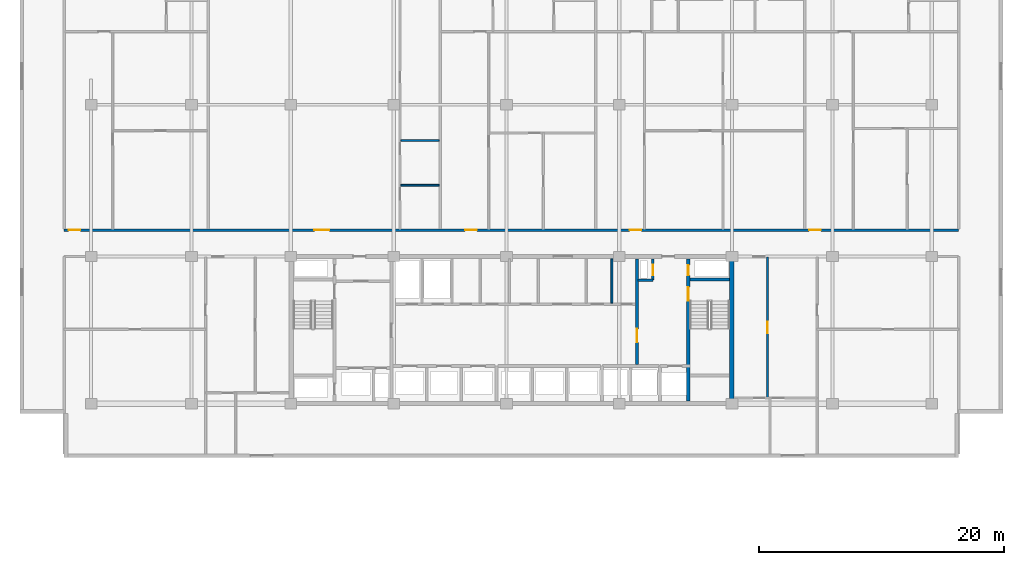
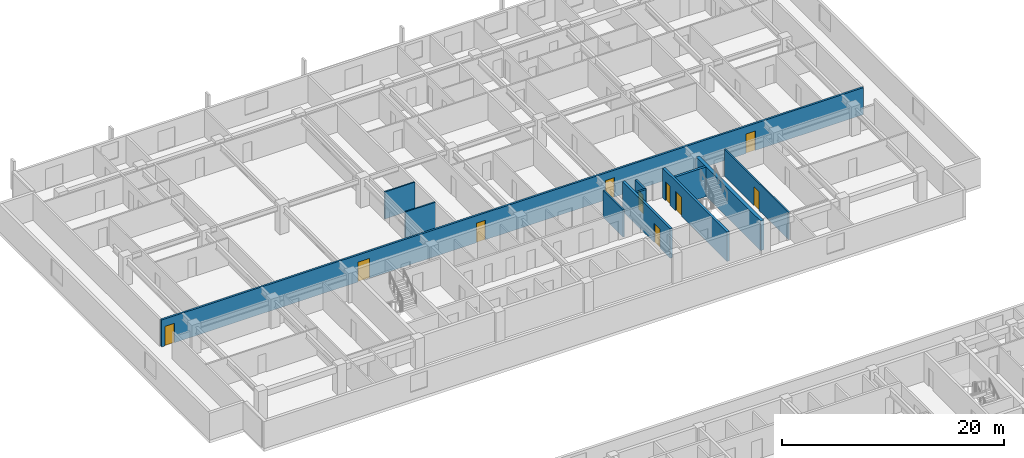
# One storey, part 13 of 22: 11 walls, 10 doors, 10 openings.
"""IFC4 building model written with IfcOpenShell, lengths in metres."""

from ifc_helpers import new_model, si_unit, direction, frame, frame_2d, origin, place, context, subcontext, project, spatial, rectangle, extrude, material, layer, layer_set, type_object, element, fill, save


model = new_model("IFC4")

# Units and contexts
model_context = context("Model", 3, precision=1e-05, world=origin(), true_north=direction((0.0, 1.0)))
body_context = subcontext(model_context, "Body", "Model", "MODEL_VIEW")
ifc_project = project(units=[si_unit("LENGTHUNIT", "METRE"), si_unit("AREAUNIT", "SQUARE_METRE"), si_unit("VOLUMEUNIT", "CUBIC_METRE"), si_unit("PLANEANGLEUNIT", "RADIAN"), si_unit("MASSUNIT", "GRAM", prefix="KILO")], contexts=[model_context])

# Site, building, storey
site_placement = place(None, origin())
site = spatial("IfcSite", under=ifc_project, at=site_placement, CompositionType="ELEMENT")
building_placement = place(site_placement, origin())
building = spatial("IfcBuilding", under=site, at=building_placement, Name="Korimba Cascade Residences", CompositionType="ELEMENT")
storey_placement = place(building_placement, frame((0.0, 0.0, 80.800048828125)))
storey = spatial("IfcBuildingStorey", under=building, at=storey_placement, Name="L22", CompositionType="ELEMENT", Elevation=80.800048828125)

# Wall
ifc_material_1 = material(Name="Concrete C65/80", Category="concrete")
ifc_layer_1 = layer(ifc_material_1, 0.35009765625)
ifc_layer_set_1 = layer_set([ifc_layer_1], Name="Concrete C65/80")
wall_type_1 = type_object("IfcWallType", Name="WAL-CORE-350", PredefinedType="SHEAR", material=ifc_layer_set_1)
wall_1_placement = place(storey_placement, frame((112.074951171875, 55.375, 0.0), z_axis=(0.0, 0.0, 1.0), x_axis=(0.0, 1.0, 0.0)))
element("IfcWall", 1, at=wall_1_placement, inside=storey, type_object=wall_type_1, Name="L22 Core Shear Wall CW-L22-T1-E", PredefinedType="SHEAR", context=body_context, shape_type="SweptSolid", body=[
    extrude(rectangle(XDim=11.64990234375, YDim=0.35009765625, at=frame_2d((5.824951171875, 0.0))), origin(), (0.0, 0.0, 1.0), 3.25),
])

# Wall, openings, doors
ifc_material_2 = material(Name="Precast concrete C40/50", Category="concrete")
ifc_layer_2 = layer(ifc_material_2, 0.199951171875)
ifc_layer_set_2 = layer_set([ifc_layer_2], Name="Precast concrete C40/50")
wall_type_2 = type_object("IfcWallType", Name="WAL-IT-200", PredefinedType="PARTITIONING", material=ifc_layer_set_2)
wall_2_placement = place(storey_placement, frame((57.60009765625, 69.35009765625, 0.0), z_axis=(0.0, 0.0, 1.0), x_axis=(1.0, 0.0, 0.0)))
wall_2 = element("IfcWall", 2, at=wall_2_placement, inside=storey, type_object=wall_type_2, Name="L22 Partition Wall WAL-L22-T1-CORN", PredefinedType="PARTITIONING", context=body_context, shape_type="SweptSolid", body=[
    extrude(rectangle(XDim=73.0, YDim=0.199951171875, at=frame_2d((36.5, 0.0))), origin(), (0.0, 0.0, 1.0), 2.969970703125),
])
opening_1_placement = place(wall_2_placement, frame((0.3701171875, 0.0, 0.0)))
opening_1 = element("IfcOpeningElement", 3, at=opening_1_placement, cuts=wall_2, Name="Opening D-UN1", PredefinedType="OPENING", context=body_context, shape_type="SweptSolid", body=[
    extrude(rectangle(XDim=0.949951171875, YDim=2.14990234375, at=frame_2d((0.47509765625, 1.074951171875))), frame((0.0, 0.10986328125, 0.0), z_axis=(0.0, -1.0, 0.0), x_axis=(1.0, 0.0, 0.0)), (0.0, 0.0, 1.0), 0.219970703125),
])
opening_2_placement = place(wall_2_placement, frame((20.42138671875, 0.0, 0.0)))
opening_2 = element("IfcOpeningElement", 4, at=opening_2_placement, cuts=wall_2, Name="Opening D-AM1", PredefinedType="OPENING", context=body_context, shape_type="SweptSolid", body=[
    extrude(rectangle(XDim=1.219970703125, YDim=2.179931640625, at=frame_2d((0.60986328125, 1.08984375))), frame((0.0, 0.10986328125, 0.0), z_axis=(0.0, -1.0, 0.0), x_axis=(1.0, 0.0, 0.0)), (0.0, 0.0, 1.0), 0.219970703125),
])
opening_3_placement = place(wall_2_placement, frame((32.7294921875, 0.0, 0.0)))
opening_3 = element("IfcOpeningElement", 5, at=opening_3_placement, cuts=wall_2, Name="Opening D-UN1", PredefinedType="OPENING", context=body_context, shape_type="SweptSolid", body=[
    extrude(rectangle(XDim=0.949951171875, YDim=2.14990234375, at=frame_2d((0.47509765625, 1.074951171875))), frame((0.0, 0.10986328125, 0.0), z_axis=(0.0, -1.0, 0.0), x_axis=(1.0, 0.0, 0.0)), (0.0, 0.0, 1.0), 0.219970703125),
])
opening_4_placement = place(wall_2_placement, frame((46.1572265625, 0.0, 0.0)))
opening_4 = element("IfcOpeningElement", 6, at=opening_4_placement, cuts=wall_2, Name="Opening D-UN1", PredefinedType="OPENING", context=body_context, shape_type="SweptSolid", body=[
    extrude(rectangle(XDim=0.949951171875, YDim=2.14990234375, at=frame_2d((0.47509765625, 1.074951171875))), frame((0.0, 0.10986328125, 0.0), z_axis=(0.0, -1.0, 0.0), x_axis=(1.0, 0.0, 0.0)), (0.0, 0.0, 1.0), 0.219970703125),
])
opening_5_placement = place(wall_2_placement, frame((60.803466796875, 0.0, 0.0)))
opening_5 = element("IfcOpeningElement", 7, at=opening_5_placement, cuts=wall_2, Name="Opening D-UN1", PredefinedType="OPENING", context=body_context, shape_type="SweptSolid", body=[
    extrude(rectangle(XDim=0.949951171875, YDim=2.14990234375, at=frame_2d((0.47509765625, 1.074951171875))), frame((0.0, 0.10986328125, 0.0), z_axis=(0.0, -1.0, 0.0), x_axis=(1.0, 0.0, 0.0)), (0.0, 0.0, 1.0), 0.219970703125),
])
ifc_material_3 = material(Name="Fire-Rated Glazed Timber Suite Door", Category="wood")
door_type_1 = type_object("IfcDoorType", Name="DR-FD60-1200", OperationType="NOTDEFINED", PredefinedType="DOOR", material=ifc_material_3)
door_1_placement = place(opening_2_placement, origin())
door_1 = element("IfcDoor", 8, at=door_1_placement, inside=storey, type_object=door_type_1, Name="L22-T1-U02 Promenade Design Showroom Door", OperationType="SINGLE_SWING_RIGHT", OverallHeight=2.179931640625, OverallWidth=1.219970703125, PredefinedType="DOOR", context=body_context, shape_type="SweptSolid", body=[
    extrude(rectangle(XDim=1.219970703125, YDim=2.179931640625, at=frame_2d((0.60986328125, 1.08984375))), frame((0.0, 0.02490234375, 0.0), z_axis=(0.0, -1.0, 0.0), x_axis=(1.0, 0.0, 0.0)), (0.0, 0.0, 1.0), 0.050048828125),
])
fill(opening_2, door_1)
ifc_material_4 = material(Name="Fire-Rated Hardwood Apartment Entrance Door", Category="wood")
door_type_2 = type_object("IfcDoorType", Name="DR-FD60-950", OperationType="NOTDEFINED", PredefinedType="DOOR", material=ifc_material_4)
door_2_placement = place(opening_1_placement, origin())
door_2 = element("IfcDoor", 9, at=door_2_placement, inside=storey, type_object=door_type_2, Name="Unit L22-T1-U01 Entrance Door", OperationType="SINGLE_SWING_LEFT", OverallHeight=2.14990234375, OverallWidth=0.949951171875, PredefinedType="DOOR", context=body_context, shape_type="SweptSolid", body=[
    extrude(rectangle(XDim=0.949951171875, YDim=2.14990234375, at=frame_2d((0.47509765625, 1.074951171875))), frame((0.0, 0.02490234375, 0.0), z_axis=(0.0, -1.0, 0.0), x_axis=(1.0, 0.0, 0.0)), (0.0, 0.0, 1.0), 0.050048828125),
])
fill(opening_1, door_2)
door_3_placement = place(opening_3_placement, origin())
door_3 = element("IfcDoor", 10, at=door_3_placement, inside=storey, type_object=door_type_2, Name="Unit L22-T1-U03 Entrance Door", OperationType="SINGLE_SWING_LEFT", OverallHeight=2.14990234375, OverallWidth=0.949951171875, PredefinedType="DOOR", context=body_context, shape_type="SweptSolid", body=[
    extrude(rectangle(XDim=0.949951171875, YDim=2.14990234375, at=frame_2d((0.47509765625, 1.074951171875))), frame((0.0, 0.02490234375, 0.0), z_axis=(0.0, -1.0, 0.0), x_axis=(1.0, 0.0, 0.0)), (0.0, 0.0, 1.0), 0.050048828125),
])
fill(opening_3, door_3)
door_4_placement = place(opening_4_placement, origin())
door_4 = element("IfcDoor", 11, at=door_4_placement, inside=storey, type_object=door_type_2, Name="Unit L22-T1-U04 Entrance Door", OperationType="SINGLE_SWING_RIGHT", OverallHeight=2.14990234375, OverallWidth=0.949951171875, PredefinedType="DOOR", context=body_context, shape_type="SweptSolid", body=[
    extrude(rectangle(XDim=0.949951171875, YDim=2.14990234375, at=frame_2d((0.47509765625, 1.074951171875))), frame((0.0, 0.02490234375, 0.0), z_axis=(0.0, -1.0, 0.0), x_axis=(1.0, 0.0, 0.0)), (0.0, 0.0, 1.0), 0.050048828125),
])
fill(opening_4, door_4)
door_5_placement = place(opening_5_placement, origin())
door_5 = element("IfcDoor", 12, at=door_5_placement, inside=storey, type_object=door_type_2, Name="Unit L22-T1-U05 Entrance Door", OperationType="SINGLE_SWING_LEFT", OverallHeight=2.14990234375, OverallWidth=0.949951171875, PredefinedType="DOOR", context=body_context, shape_type="SweptSolid", body=[
    extrude(rectangle(XDim=0.949951171875, YDim=2.14990234375, at=frame_2d((0.47509765625, 1.074951171875))), frame((0.0, 0.02490234375, 0.0), z_axis=(0.0, -1.0, 0.0), x_axis=(1.0, 0.0, 0.0)), (0.0, 0.0, 1.0), 0.050048828125),
])
fill(opening_5, door_5)

# Wall
ifc_material_5 = material(Name="Insulated Acoustic Stud Partition", Category="gypsum")
ifc_layer_3 = layer(ifc_material_5, 0.14990234375)
ifc_layer_set_3 = layer_set([ifc_layer_3], Name="Insulated Acoustic Stud Partition")
wall_type_3 = type_object("IfcWallType", Name="WAL-PART-150", PredefinedType="PARTITIONING", material=ifc_layer_set_3)
wall_3_placement = place(storey_placement, frame((102.300048828125, 63.39990234375, 0.0), z_axis=(0.0, 0.0, 1.0), x_axis=(0.0, 1.0, 0.0)))
element("IfcWall", 13, at=wall_3_placement, inside=storey, type_object=wall_type_3, Name="L22 Partition Wall CW-L22-T1-CA1E1", PredefinedType="PARTITIONING", context=body_context, shape_type="SweptSolid", body=[
    extrude(rectangle(XDim=3.60009765625, YDim=0.14990234375, at=frame_2d((1.800048828125, 0.0))), origin(), (0.0, 0.0, 1.0), 2.969970703125),
])

# Wall, opening, door
wall_4_placement = place(storey_placement, frame((115.0, 55.64990234375, 0.0), z_axis=(0.0, 0.0, 1.0), x_axis=(0.0, 1.0, 0.0)))
wall_4 = element("IfcWall", 14, at=wall_4_placement, inside=storey, type_object=wall_type_3, Name="L22 Partition Wall WAL-L22-T1-FE-VN", PredefinedType="PARTITIONING", context=body_context, shape_type="SweptSolid", body=[
    extrude(rectangle(XDim=11.5, YDim=0.14990234375, at=frame_2d((5.75, 0.0))), origin(), (0.0, 0.0, 1.0), 2.969970703125),
])
opening_6_placement = place(wall_4_placement, frame((5.2900390625, 0.0, 0.0)))
opening_6 = element("IfcOpeningElement", 15, at=opening_6_placement, cuts=wall_4, Name="Opening D-IN1", PredefinedType="OPENING", context=body_context, shape_type="SweptSolid", body=[
    extrude(rectangle(XDim=0.919921875, YDim=2.080078125, at=frame_2d((0.4599609375, 1.0400390625))), frame((0.0, 0.0849609375, 0.0), z_axis=(0.0, -1.0, 0.0), x_axis=(1.0, 0.0, 0.0)), (0.0, 0.0, 1.0), 0.169921875),
])
ifc_material_6 = material(Name="Acoustic Timber Living Door", Category="wood")
door_type_3 = type_object("IfcDoorType", Name="DR-INT-920", OperationType="NOTDEFINED", PredefinedType="DOOR", material=ifc_material_6)
door_6_placement = place(opening_6_placement, origin())
door_6 = element("IfcDoor", 16, at=door_6_placement, inside=storey, type_object=door_type_3, Name="L22-T1-FE Living Door", OperationType="SINGLE_SWING_LEFT", OverallHeight=2.080078125, OverallWidth=0.919921875, PredefinedType="DOOR", context=body_context, shape_type="SweptSolid", body=[
    extrude(rectangle(XDim=0.919921875, YDim=2.080078125, at=frame_2d((0.4599609375, 1.0400390625))), frame((0.0, 0.02490234375, 0.0), z_axis=(0.0, -1.0, 0.0), x_axis=(1.0, 0.0, 0.0)), (0.0, 0.0, 1.0), 0.050048828125),
])
fill(opening_6, door_6)

# Walls
for number, where, z_axis, x_axis, name in (
    (17, (85.07470703125, 73.02001953125, 0.0), (0.0, 0.0, 1.0), (1.0, 0.0, 0.0), "L22 Partition Wall WAL-L22-T1-U02-WCH"),
    (18, (85.07470703125, 76.669921875, 0.0), (0.0, 0.0, 1.0), (1.0, 0.0, 0.0), "L22 Partition Wall WAL-L22-T1-U02-WCH2"),
):
    element("IfcWall", number, at=place(storey_placement, frame(where, z_axis=z_axis, x_axis=x_axis)), inside=storey, type_object=wall_type_3, Name=name, PredefinedType="PARTITIONING", context=body_context, shape_type="SweptSolid", body=[
        extrude(rectangle(XDim=3.1298828125, YDim=0.14990234375, at=frame_2d((1.56494140625, 0.0))), origin(), (0.0, 0.0, 1.0), 2.969970703125),
    ])
ifc_material_7 = material(Name="Concrete C40/50", Category="concrete")
ifc_layer_4 = layer(ifc_material_7, 0.199951171875)
ifc_layer_set_4 = layer_set([ifc_layer_4], Name="Concrete C40/50")
wall_type_4 = type_object("IfcWallType", Name="WAL-PART-200", PredefinedType="PARTITIONING", material=ifc_layer_set_4)
wall_5_placement = place(storey_placement, frame((104.449951171875, 65.280029296875, 0.0), z_axis=(0.0, 0.0, 1.0), x_axis=(1.0, 0.0, 0.0)))
element("IfcWall", 19, at=wall_5_placement, inside=storey, type_object=wall_type_4, Name="L22 Partition Wall CW-L22-T1-HYDW2S", PredefinedType="PARTITIONING", context=body_context, shape_type="SweptSolid", body=[
    extrude(rectangle(XDim=1.199951171875, YDim=0.199951171875, at=frame_2d((0.60009765625, 0.0))), origin(), (0.0, 0.0, 1.0), 2.969970703125),
])

# Wall, opening, door
wall_6_placement = place(storey_placement, frame((105.64990234375, 65.280029296875, 0.0), z_axis=(0.0, 0.0, 1.0), x_axis=(0.0, 1.0, 0.0)))
wall_6 = element("IfcWall", 20, at=wall_6_placement, inside=storey, type_object=wall_type_4, Name="L22 Partition Wall CW-L22-T1-HYDW2E", PredefinedType="PARTITIONING", context=body_context, shape_type="SweptSolid", body=[
    extrude(rectangle(XDim=1.719970703125, YDim=0.199951171875, at=frame_2d((0.85986328125, 0.0))), origin(), (0.0, 0.0, 1.0), 2.969970703125),
])
opening_7_placement = place(wall_6_placement, frame((0.39990234375, 0.0, 0.0)))
opening_7 = element("IfcOpeningElement", 21, at=opening_7_placement, cuts=wall_6, Name="Opening D-RS1", PredefinedType="OPENING", context=body_context, shape_type="SweptSolid", body=[
    extrude(rectangle(XDim=0.85009765625, YDim=2.050048828125, at=frame_2d((0.425048828125, 1.02490234375))), frame((0.0, 0.10986328125, 0.0), z_axis=(0.0, -1.0, 0.0), x_axis=(1.0, 0.0, 0.0)), (0.0, 0.0, 1.0), 0.219970703125),
])
ifc_material_8 = material(Name="Fire-Rated Steel Riser Access Door", Category="steel")
door_type_4 = type_object("IfcDoorType", Name="DR-FD60-850", OperationType="NOTDEFINED", PredefinedType="DOOR", material=ifc_material_8)
door_7_placement = place(opening_7_placement, origin())
door_7 = element("IfcDoor", 22, at=door_7_placement, inside=storey, type_object=door_type_4, Name="L22 East Hydrant Door", OperationType="SINGLE_SWING_LEFT", OverallHeight=2.050048828125, OverallWidth=0.85009765625, PredefinedType="DOOR", context=body_context, shape_type="SweptSolid", body=[
    extrude(rectangle(XDim=0.85009765625, YDim=2.050048828125, at=frame_2d((0.425048828125, 1.02490234375))), frame((0.0, 0.02490234375, 0.0), z_axis=(0.0, -1.0, 0.0), x_axis=(1.0, 0.0, 0.0)), (0.0, 0.0, 1.0), 0.050048828125),
])
fill(opening_7, door_7)

ifc_material_9 = material(Name="Concrete C50/60", Category="concrete")
ifc_layer_5 = layer(ifc_material_9, 0.25)
ifc_layer_set_5 = layer_set([ifc_layer_5], Name="Concrete C50/60")
wall_type_5 = type_object("IfcWallType", Name="WAL-SHAFT-250", PredefinedType="SHEAR", material=ifc_layer_set_5)
wall_7_placement = place(storey_placement, frame((104.35009765625, 58.39990234375, 0.0), z_axis=(0.0, 0.0, 1.0), x_axis=(0.0, 1.0, 0.0)))
wall_7 = element("IfcWall", 23, at=wall_7_placement, inside=storey, type_object=wall_type_5, Name="L22 Core Shear Wall CW-L22-T1-LLEV", PredefinedType="SHEAR", context=body_context, shape_type="SweptSolid", body=[
    extrude(rectangle(XDim=8.60009765625, YDim=0.25, at=frame_2d((4.300048828125, 0.0))), origin(), (0.0, 0.0, 1.0), 3.25),
])
opening_8_placement = place(wall_7_placement, frame((1.800048828125, 0.0, 0.0)))
opening_8 = element("IfcOpeningElement", 24, at=opening_8_placement, cuts=wall_7, Name="Opening D-FD1", PredefinedType="OPENING", context=body_context, shape_type="SweptSolid", body=[
    extrude(rectangle(XDim=1.10009765625, YDim=2.10009765625, at=frame_2d((0.550048828125, 1.050048828125))), frame((0.0, 0.135009765625, 0.0), z_axis=(0.0, -1.0, 0.0), x_axis=(1.0, 0.0, 0.0)), (0.0, 0.0, 1.0), 0.27001953125),
])
ifc_material_10 = material(Name="Fire-Rated Steel Core Door", Category="steel")
door_type_5 = type_object("IfcDoorType", Name="DR-FD120-1100", OperationType="NOTDEFINED", PredefinedType="DOOR", material=ifc_material_10)
door_8_placement = place(opening_8_placement, origin())
door_8 = element("IfcDoor", 25, at=door_8_placement, inside=storey, type_object=door_type_5, Name="L22 Lift Lobby to East Firefighting Lobby Door", OperationType="SINGLE_SWING_RIGHT", OverallHeight=2.10009765625, OverallWidth=1.10009765625, PredefinedType="DOOR", context=body_context, shape_type="SweptSolid", body=[
    extrude(rectangle(XDim=1.10009765625, YDim=2.10009765625, at=frame_2d((0.550048828125, 1.050048828125))), frame((0.0, 0.02490234375, 0.0), z_axis=(0.0, -1.0, 0.0), x_axis=(1.0, 0.0, 0.0)), (0.0, 0.0, 1.0), 0.050048828125),
])
fill(opening_8, door_8)

# Wall, openings, doors
wall_8_placement = place(storey_placement, frame((108.534912109375, 55.39990234375, 0.0), z_axis=(0.0, 0.0, 1.0), x_axis=(0.0, 1.0, 0.0)))
wall_8 = element("IfcWall", 26, at=wall_8_placement, inside=storey, type_object=wall_type_5, Name="L22 Core Shear Wall CW-L22-T1-STW2W", PredefinedType="SHEAR", context=body_context, shape_type="SweptSolid", body=[
    extrude(rectangle(XDim=11.60009765625, YDim=0.25, at=frame_2d((5.800048828125, 0.0))), origin(), (0.0, 0.0, 1.0), 3.25),
])
opening_9_placement = place(wall_8_placement, frame((8.199951171875, 0.0, 0.0)))
opening_9 = element("IfcOpeningElement", 27, at=opening_9_placement, cuts=wall_8, Name="Opening D-FD1", PredefinedType="OPENING", context=body_context, shape_type="SweptSolid", body=[
    extrude(rectangle(XDim=1.10009765625, YDim=2.10009765625, at=frame_2d((0.550048828125, 1.050048828125))), frame((0.0, 0.135009765625, 0.0), z_axis=(0.0, -1.0, 0.0), x_axis=(1.0, 0.0, 0.0)), (0.0, 0.0, 1.0), 0.27001953125),
])
opening_10_placement = place(wall_8_placement, frame((10.25, 0.0, 0.0)))
opening_10 = element("IfcOpeningElement", 28, at=opening_10_placement, cuts=wall_8, Name="Opening D-RS1", PredefinedType="OPENING", context=body_context, shape_type="SweptSolid", body=[
    extrude(rectangle(XDim=0.85009765625, YDim=2.050048828125, at=frame_2d((0.425048828125, 1.02490234375))), frame((0.0, 0.135009765625, 0.0), z_axis=(0.0, -1.0, 0.0), x_axis=(1.0, 0.0, 0.0)), (0.0, 0.0, 1.0), 0.27001953125),
])
door_9_placement = place(opening_9_placement, origin())
door_9 = element("IfcDoor", 29, at=door_9_placement, inside=storey, type_object=door_type_5, Name="L22 Fire Stair ST-W2 Door", OperationType="SINGLE_SWING_LEFT", OverallHeight=2.10009765625, OverallWidth=1.10009765625, PredefinedType="DOOR", context=body_context, shape_type="SweptSolid", body=[
    extrude(rectangle(XDim=1.10009765625, YDim=2.10009765625, at=frame_2d((0.550048828125, 1.050048828125))), frame((0.0, 0.02490234375, 0.0), z_axis=(0.0, -1.0, 0.0), x_axis=(1.0, 0.0, 0.0)), (0.0, 0.0, 1.0), 0.050048828125),
])
fill(opening_9, door_9)
door_10_placement = place(opening_10_placement, origin())
door_10 = element("IfcDoor", 30, at=door_10_placement, inside=storey, type_object=door_type_4, Name="L22 East Riser Door", OperationType="SINGLE_SWING_RIGHT", OverallHeight=2.050048828125, OverallWidth=0.85009765625, PredefinedType="DOOR", context=body_context, shape_type="SweptSolid", body=[
    extrude(rectangle(XDim=0.85009765625, YDim=2.050048828125, at=frame_2d((0.425048828125, 1.02490234375))), frame((0.0, 0.02490234375, 0.0), z_axis=(0.0, -1.0, 0.0), x_axis=(1.0, 0.0, 0.0)), (0.0, 0.0, 1.0), 0.050048828125),
])
fill(opening_10, door_10)

# Wall
wall_9_placement = place(storey_placement, frame((108.659912109375, 65.324951171875, 0.0), z_axis=(0.0, 0.0, 1.0), x_axis=(1.0, 0.0, 0.0)))
element("IfcWall", 31, at=wall_9_placement, inside=storey, type_object=wall_type_5, Name="L22 Core Shear Wall CW-L22-T1-STW2N", PredefinedType="SHEAR", context=body_context, shape_type="SweptSolid", body=[
    extrude(rectangle(XDim=3.239990234375, YDim=0.25, at=frame_2d((1.6201171875, 0.0))), origin(), (0.0, 0.0, 1.0), 3.25),
])

save(model, "model.ifc")
